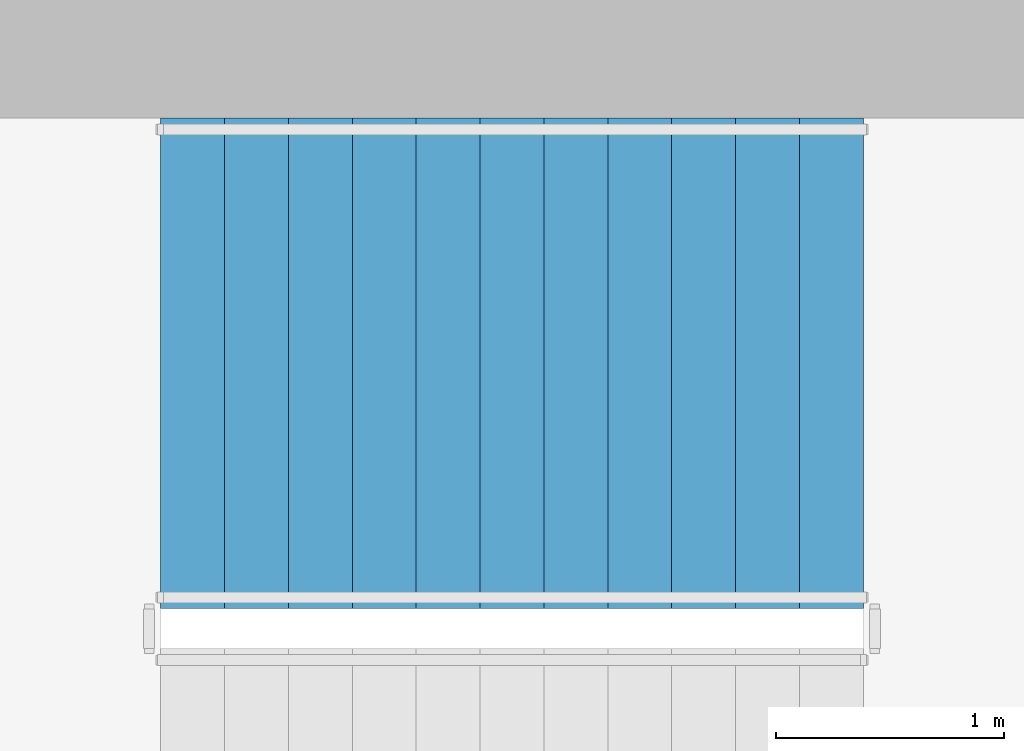
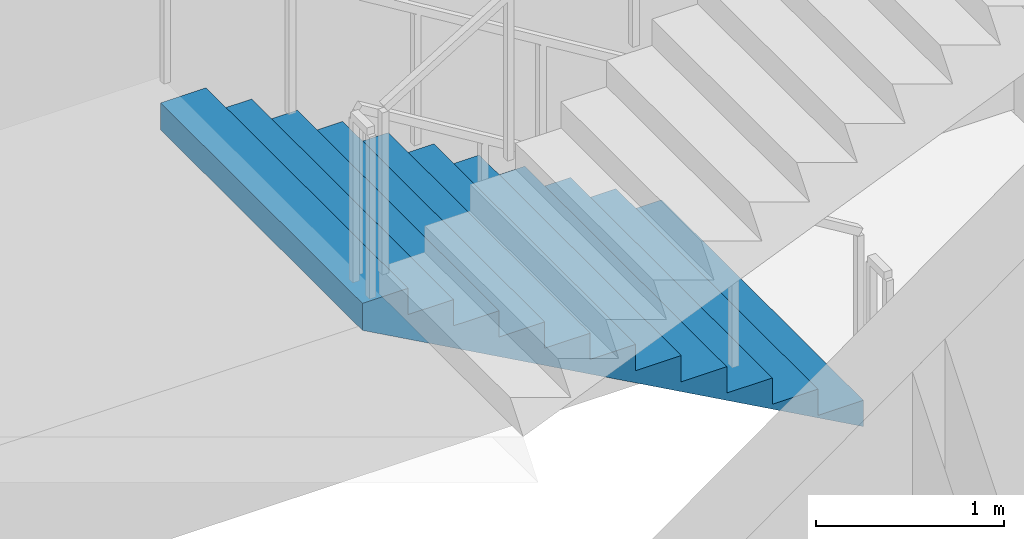
# One storey, part 10 of 16: 1 stair flight, 1 element without a shape of its own.
"""IFC4 building model written with IfcOpenShell, lengths in metres."""

from ifc_helpers import new_model, si_unit, direction, frame, origin, place, context, subcontext, project, spatial, triangles, material, type_object, element, aggregate, save


model = new_model("IFC4")

# Units and contexts
model_context = context("Model", 3, precision=1e-05, world=origin(), true_north=direction((0.0, 1.0)))
body_context = subcontext(model_context, "Body", "Model", "MODEL_VIEW")
ifc_project = project(units=[si_unit("LENGTHUNIT", "METRE"), si_unit("AREAUNIT", "SQUARE_METRE"), si_unit("VOLUMEUNIT", "CUBIC_METRE"), si_unit("PLANEANGLEUNIT", "RADIAN"), si_unit("MASSUNIT", "GRAM", prefix="KILO")], contexts=[model_context])

# Site, building, storey
site_placement = place(None, origin())
site = spatial("IfcSite", under=ifc_project, at=site_placement, CompositionType="ELEMENT")
building_placement = place(site_placement, origin())
building = spatial("IfcBuilding", under=site, at=building_placement, Name="Cypress Arch Tower", CompositionType="ELEMENT")
storey_placement = place(building_placement, frame((0.0, 0.0, 172.800048828125)))
storey = spatial("IfcBuildingStorey", under=building, at=storey_placement, Name="L37", CompositionType="ELEMENT", Elevation=172.800048828125)

# Stair, stair flight
ifc_material_1 = material(Name="Concrete C40/50", Category="concrete")
stair_type = type_object("IfcStairType", Name="Exit stair ES1708-215", PredefinedType="HALF_TURN_STAIR", material=ifc_material_1)
stair_placement = place(storey_placement, origin())
stair = element("IfcStair", 1, at=stair_placement, inside=storey, type_object=stair_type, Name="L37 Exit stair B", PredefinedType="HALF_TURN_STAIR")
ifc_material_2 = material(Name="Concrete C40/50", Category="concrete")
stair_flight_type = type_object("IfcStairFlightType", Name="Exit stair flight ES1708-215", PredefinedType="STRAIGHT", material=ifc_material_2)
stair_flight_placement = place(storey_placement, frame((-22.27490234375, 13.72509765625, 0.0), z_axis=(0.0, 0.0, 1.0), x_axis=(-1.0, 0.0, 0.0)))
stair_flight = element("IfcStairFlight", 2, at=stair_flight_placement, type_object=stair_flight_type, Name="B flight 1", NumberOfRisers=12, NumberOfTreads=11, PredefinedType="STRAIGHT", RiserHeight=0.170833333, TreadLength=0.28, context=body_context, shape_type="Tessellation", body=[
    triangles([(0.0, -1.074951171875, 0.0), (0.000244140625, -1.074951171875, 0.01904296875), (0.000244140625, -1.074951171875, 0.0380859375), (0.00048828125, -1.074951171875, 0.056884765625), (0.00048828125, -1.074951171875, 0.075927734375), (0.00048828125, -1.074951171875, 0.094970703125), (0.00048828125, -1.074951171875, 0.114013671875), (0.000244140625, -1.074951171875, 0.1328125), (0.000244140625, -1.074951171875, 0.15185546875), (0.0, -1.074951171875, 0.1708984375), (0.280029296875, -1.074951171875, 0.1708984375), (0.280029296875, -1.074951171875, 0.341552734375), (0.56005859375, -1.074951171875, 0.341552734375), (0.56005859375, -1.074951171875, 0.512451171875), (0.840087890625, -1.074951171875, 0.512451171875), (0.840087890625, -1.074951171875, 0.683349609375), (1.1201171875, -1.074951171875, 0.683349609375), (1.1201171875, -1.074951171875, 0.854248046875), (1.39990234375, -1.074951171875, 0.854248046875), (1.39990234375, -1.074951171875, 1.02490234375), (1.679931640625, -1.074951171875, 1.02490234375), (1.679931640625, -1.074951171875, 1.19580078125), (1.9599609375, -1.074951171875, 1.19580078125), (1.9599609375, -1.074951171875, 1.36669921875), (2.239990234375, -1.074951171875, 1.36669921875), (2.239990234375, -1.074951171875, 1.53759765625), (2.52001953125, -1.074951171875, 1.53759765625), (2.52001953125, -1.074951171875, 1.708251953125), (2.800048828125, -1.074951171875, 1.708251953125), (2.800048828125, -1.074951171875, 1.879150390625), (3.080078125, -1.074951171875, 1.879150390625), (3.079833984375, -1.074951171875, 1.859619140625), (3.079833984375, -1.074951171875, 1.840087890625), (3.07958984375, -1.074951171875, 1.820556640625), (3.07958984375, -1.074951171875, 1.801025390625), (3.07958984375, -1.074951171875, 1.78173828125), (3.07958984375, -1.074951171875, 1.76220703125), (3.079833984375, -1.074951171875, 1.74267578125), (3.079833984375, -1.074951171875, 1.72314453125), (3.080078125, -1.074951171875, 1.70361328125), (3.080078125, 1.074951171875, 1.70361328125), (3.079833984375, 1.074951171875, 1.72314453125), (3.079833984375, 1.074951171875, 1.74267578125), (3.07958984375, 1.074951171875, 1.76220703125), (3.07958984375, 1.074951171875, 1.78173828125), (3.07958984375, 1.074951171875, 1.801025390625), (3.07958984375, 1.074951171875, 1.820556640625), (3.079833984375, 1.074951171875, 1.840087890625), (3.079833984375, 1.074951171875, 1.859619140625), (3.080078125, 1.074951171875, 1.879150390625), (2.800048828125, 1.074951171875, 1.879150390625), (2.800048828125, 1.074951171875, 1.708251953125), (2.52001953125, 1.074951171875, 1.708251953125), (2.52001953125, 1.074951171875, 1.53759765625), (2.239990234375, 1.074951171875, 1.53759765625), (2.239990234375, 1.074951171875, 1.36669921875), (1.9599609375, 1.074951171875, 1.36669921875), (1.9599609375, 1.074951171875, 1.19580078125), (1.679931640625, 1.074951171875, 1.19580078125), (1.679931640625, 1.074951171875, 1.02490234375), (1.39990234375, 1.074951171875, 1.02490234375), (1.39990234375, 1.074951171875, 0.854248046875), (1.1201171875, 1.074951171875, 0.854248046875), (1.1201171875, 1.074951171875, 0.683349609375), (0.840087890625, 1.074951171875, 0.683349609375), (0.840087890625, 1.074951171875, 0.512451171875), (0.56005859375, 1.074951171875, 0.512451171875), (0.56005859375, 1.074951171875, 0.341552734375), (0.280029296875, 1.074951171875, 0.341552734375), (0.280029296875, 1.074951171875, 0.1708984375), (0.0, 1.074951171875, 0.1708984375), (0.000244140625, 1.074951171875, 0.15185546875), (0.000244140625, 1.074951171875, 0.1328125), (0.00048828125, 1.074951171875, 0.114013671875), (0.00048828125, 1.074951171875, 0.094970703125), (0.00048828125, 1.074951171875, 0.075927734375), (0.00048828125, 1.074951171875, 0.056884765625), (0.000244140625, 1.074951171875, 0.0380859375), (0.000244140625, 1.074951171875, 0.01904296875), (0.0, 1.074951171875, 0.0)], [[40, 39, 30], [39, 38, 30], [38, 37, 30], [37, 36, 30], [36, 35, 30], [35, 34, 30], [34, 33, 30], [33, 32, 30], [32, 31, 30], [19, 18, 17], [27, 26, 25], [25, 24, 23], [23, 22, 21], [17, 16, 15], [15, 14, 13], [10, 9, 11], [9, 8, 11], [8, 7, 11], [7, 6, 11], [6, 5, 11], [5, 4, 11], [4, 3, 11], [3, 2, 11], [2, 1, 11], [29, 28, 27], [21, 20, 19], [13, 12, 11], [40, 30, 29], [40, 29, 27], [40, 27, 25], [40, 25, 23], [40, 23, 21], [40, 21, 19], [40, 19, 17], [40, 17, 15], [40, 15, 13], [1, 40, 13], [13, 11, 1], [41, 51, 42], [42, 51, 43], [43, 51, 44], [44, 51, 45], [45, 51, 46], [46, 51, 47], [47, 51, 48], [48, 51, 49], [49, 51, 50], [62, 64, 63], [54, 56, 55], [56, 58, 57], [58, 60, 59], [64, 66, 65], [66, 68, 67], [71, 70, 72], [72, 70, 73], [73, 70, 74], [74, 70, 75], [75, 70, 76], [76, 70, 77], [77, 70, 78], [78, 70, 79], [79, 70, 80], [52, 54, 53], [60, 62, 61], [68, 70, 69], [41, 52, 51], [41, 54, 52], [41, 56, 54], [41, 58, 56], [41, 60, 58], [41, 62, 60], [41, 64, 62], [41, 66, 64], [41, 68, 66], [80, 68, 41], [68, 80, 70], [41, 42, 39], [41, 39, 40], [42, 43, 38], [42, 38, 39], [43, 44, 37], [43, 37, 38], [44, 45, 36], [44, 36, 37], [45, 46, 35], [45, 35, 36], [46, 47, 34], [46, 34, 35], [47, 48, 33], [47, 33, 34], [48, 49, 32], [48, 32, 33], [49, 50, 31], [49, 31, 32], [50, 51, 30], [50, 30, 31], [51, 52, 29], [51, 29, 30], [52, 53, 28], [52, 28, 29], [53, 54, 27], [53, 27, 28], [54, 55, 26], [54, 26, 27], [55, 56, 25], [55, 25, 26], [56, 57, 24], [56, 24, 25], [57, 58, 23], [57, 23, 24], [58, 59, 22], [58, 22, 23], [59, 60, 21], [59, 21, 22], [60, 61, 20], [60, 20, 21], [61, 62, 19], [61, 19, 20], [62, 63, 18], [62, 18, 19], [63, 64, 17], [63, 17, 18], [64, 65, 16], [64, 16, 17], [65, 66, 15], [65, 15, 16], [66, 67, 14], [66, 14, 15], [67, 68, 13], [67, 13, 14], [68, 69, 12], [68, 12, 13], [69, 70, 11], [69, 11, 12], [70, 71, 10], [70, 10, 11], [71, 72, 9], [71, 9, 10], [72, 73, 8], [72, 8, 9], [73, 74, 7], [73, 7, 8], [74, 75, 6], [74, 6, 7], [75, 76, 5], [75, 5, 6], [76, 77, 4], [76, 4, 5], [77, 78, 3], [77, 3, 4], [78, 79, 2], [78, 2, 3], [79, 80, 1], [79, 1, 2], [80, 41, 40], [80, 40, 1]], closed=True),
])
aggregate(stair, [stair_flight])

save(model, "model.ifc")
